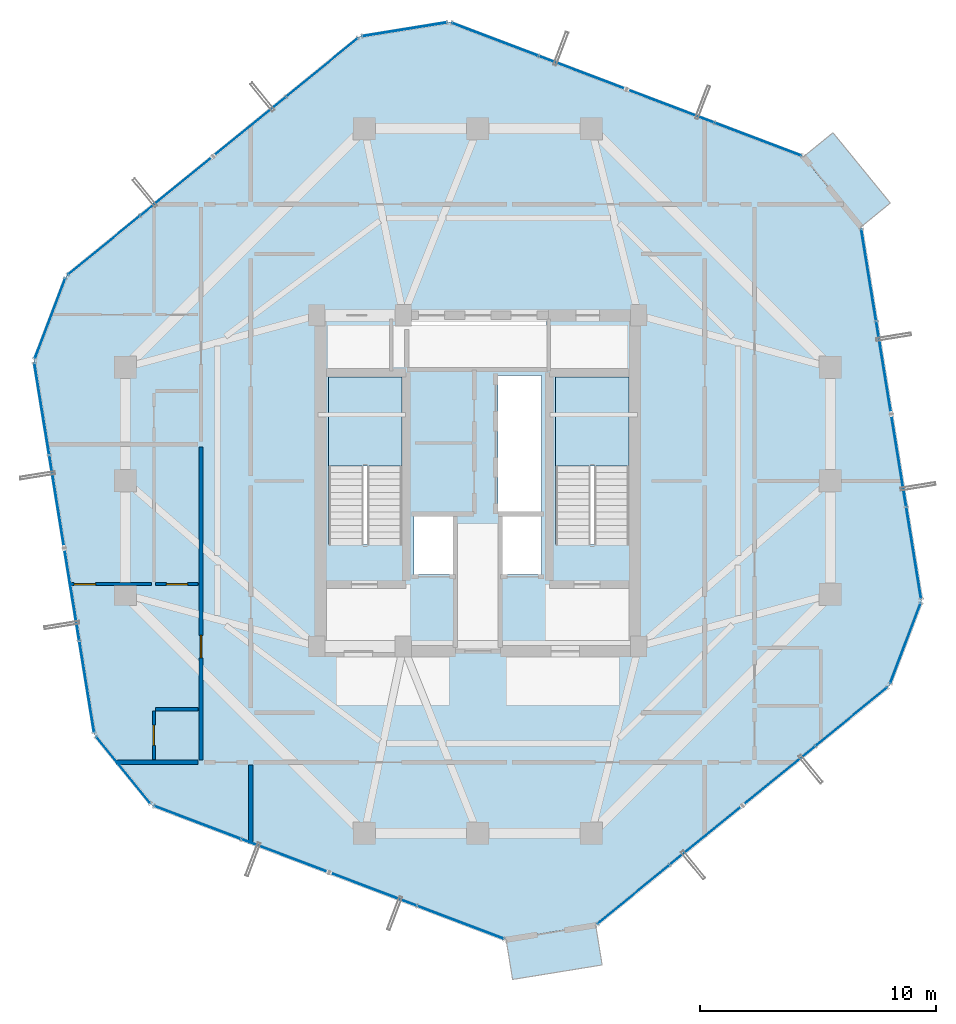
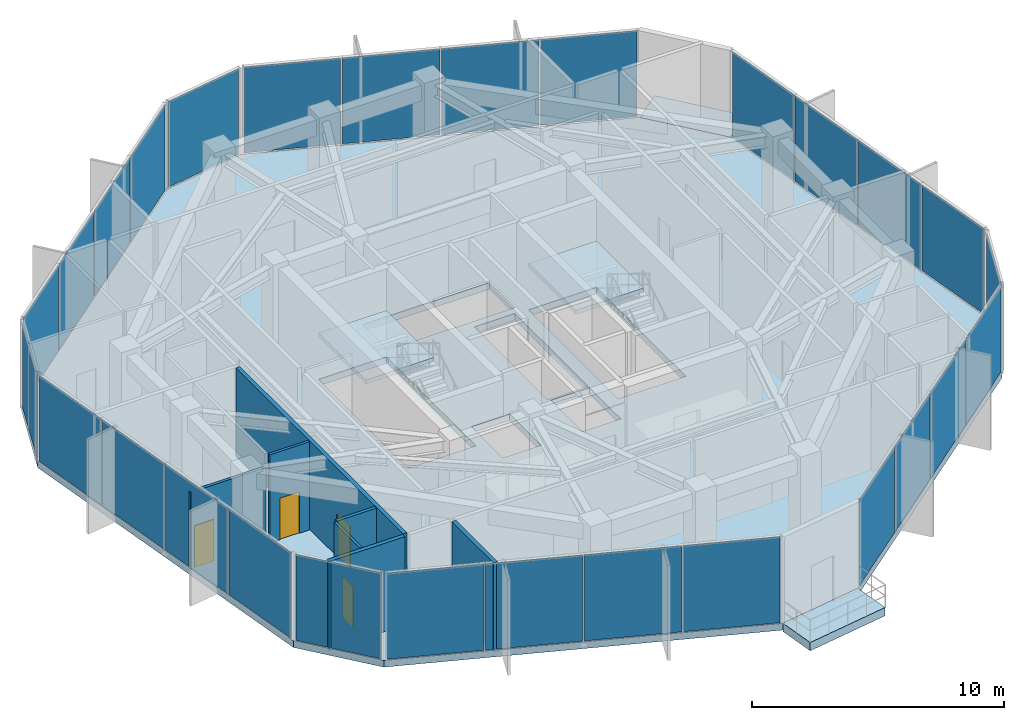
# One storey, part 17 of 22: 28 plates, 7 walls, 5 slabs, 4 doors, 4 openings, 12 elements without a shape of their own.
"""IFC4 building model written with IfcOpenShell, lengths in metres."""

from ifc_helpers import new_model, si_unit, direction, frame, frame_2d, origin, origin_2d, place, context, subcontext, project, spatial, polyline, rectangle, outline, extrude, source, transform, mapped, material, layer, layer_set, type_object, element, fill, aggregate, save


model = new_model("IFC4")

# Units and contexts
model_context = context("Model", 3, precision=1e-05, world=origin(), true_north=direction((0.0, 1.0)))
body_context = subcontext(model_context, "Body", "Model", "MODEL_VIEW")
ifc_project = project(units=[si_unit("LENGTHUNIT", "METRE"), si_unit("AREAUNIT", "SQUARE_METRE"), si_unit("VOLUMEUNIT", "CUBIC_METRE"), si_unit("PLANEANGLEUNIT", "RADIAN"), si_unit("MASSUNIT", "GRAM", prefix="KILO")], contexts=[model_context])

# Site, building, storey
site_placement = place(None, origin())
site = spatial("IfcSite", under=ifc_project, at=site_placement, CompositionType="ELEMENT")
building_placement = place(site_placement, origin())
building = spatial("IfcBuilding", under=site, at=building_placement, Name="Veraguas Prism Commons", CompositionType="ELEMENT")
storey_placement = place(building_placement, frame((0.0, 0.0, 174.35009765625)))
storey = spatial("IfcBuildingStorey", under=building, at=storey_placement, Name="L49", CompositionType="ELEMENT", Elevation=174.35009765625)

# Slab
ifc_material_1 = material(Name="Concrete C45/55", Category="concrete")
ifc_layer_1 = layer(ifc_material_1, 0.320068359375, Name="Plant Refuge and Sky Lobby Slab RC 320", Category="concrete")
ifc_layer_set_1 = layer_set([ifc_layer_1], Name="Concrete C45/55")
slab_type_1 = type_object("IfcSlabType", Name="Plant Refuge and Sky Lobby Slab RC 320", PredefinedType="FLOOR", material=ifc_layer_set_1)
slab_1_placement = place(storey_placement, frame((0.0, 0.0, -0.320068359375)))
element("IfcSlab", 1, at=slab_1_placement, inside=storey, type_object=slab_type_1, Name="Tower Floor Slab L49", PredefinedType="FLOOR", context=body_context, shape_type="SweptSolid", body=[
    extrude(outline(polyline([(40.20166015625, 34.73974609375), (37.778076171875, 37.711181640625), (22.7998046875, 43.40087890625), (19.014892578125, 42.787841796875), (6.598388671875, 32.6611328125), (5.23681640625, 29.07666015625), (7.79833984375, 13.26025390625), (10.221923828125, 10.288818359375), (25.2001953125, 4.59912109375), (28.985107421875, 5.212158203125), (41.401611328125, 15.3388671875), (42.76318359375, 18.92333984375), (40.20166015625, 34.73974609375)]), holes=[polyline([(20.800048828125, 21.31005859375), (20.800048828125, 28.39990234375), (17.68994140625, 28.39990234375), (17.68994140625, 21.31005859375), (20.800048828125, 21.31005859375)]), polyline([(30.39990234375, 21.31005859375), (30.39990234375, 28.39990234375), (27.2900390625, 28.39990234375), (27.2900390625, 21.31005859375), (30.39990234375, 21.31005859375)]), polyline([(24.85009765625, 22.64990234375), (26.699951171875, 22.64990234375), (26.699951171875, 28.449951171875), (24.85009765625, 28.449951171875), (24.85009765625, 22.64990234375)]), polyline([(21.10009765625, 28.800048828125), (26.89990234375, 28.800048828125), (26.89990234375, 30.800048828125), (21.10009765625, 30.800048828125), (21.10009765625, 28.800048828125)]), polyline([(21.300048828125, 20.050048828125), (23.050048828125, 20.050048828125), (23.050048828125, 22.550048828125), (21.300048828125, 22.550048828125), (21.300048828125, 20.050048828125)]), polyline([(24.949951171875, 20.050048828125), (26.699951171875, 20.050048828125), (26.699951171875, 22.550048828125), (24.949951171875, 22.550048828125), (24.949951171875, 20.050048828125)])]), origin(), (0.0, 0.0, 1.0), 0.320068359375),
])

# Stair, slab
ifc_material_2 = material(Name="Precast concrete C45/55", Category="concrete")
stair_type = type_object("IfcStairType", Name="Dogleg Core Stair 1480W 26R 04", PredefinedType="HALF_TURN_STAIR", material=ifc_material_2)
stair_1_placement = place(storey_placement, origin())
stair_1 = element("IfcStair", 2, at=stair_1_placement, inside=storey, type_object=stair_type, Name="Protected Exit Stair ST-01 L49", PredefinedType="HALF_TURN_STAIR")
ifc_layer_2 = layer(ifc_material_2, 0.199951171875, Name="Precast Stair and Ramp Landing Slab 200", Category="concrete")
ifc_layer_set_2 = layer_set([ifc_layer_2], Name="Precast concrete C45/55")
slab_type_2 = type_object("IfcSlabType", Name="Precast Stair and Ramp Landing Slab 200", PredefinedType="LANDING", material=ifc_layer_set_2)
slab_2_placement = place(storey_placement, frame((0.0, 0.0, 2.0498046875)))
slab_2 = element("IfcSlab", 3, at=slab_2_placement, type_object=slab_type_2, Name="ST-04 Landing 1", PredefinedType="LANDING", context=body_context, shape_type="SweptSolid", body=[
    extrude(outline(polyline([(20.800048828125, 24.639892578125), (20.800048828125, 28.39990234375), (17.68994140625, 28.39990234375), (17.68994140625, 24.639892578125), (20.800048828125, 24.639892578125)])), origin(), (0.0, 0.0, 1.0), 0.2001953125),
])
aggregate(stair_1, [slab_2])

stair_2_placement = place(storey_placement, origin())
stair_2 = element("IfcStair", 4, at=stair_2_placement, inside=storey, type_object=stair_type, Name="Protected Exit Stair ST-02 L49", PredefinedType="HALF_TURN_STAIR")
slab_3_placement = place(storey_placement, frame((0.0, 0.0, 2.0498046875)))
slab_3 = element("IfcSlab", 5, at=slab_3_placement, type_object=slab_type_2, Name="ST-04 Landing 1", PredefinedType="LANDING", context=body_context, shape_type="SweptSolid", body=[
    extrude(outline(polyline([(30.39990234375, 24.639892578125), (30.39990234375, 28.39990234375), (27.2900390625, 28.39990234375), (27.2900390625, 24.639892578125), (30.39990234375, 24.639892578125)])), origin(), (0.0, 0.0, 1.0), 0.2001953125),
])
aggregate(stair_2, [slab_3])

# Slabs
ifc_layer_3 = layer(ifc_material_1, 0.219970703125, Name="Recessed Loggia and Terrace Slab RC 220", Category="concrete")
ifc_layer_set_3 = layer_set([ifc_layer_3], Name="Concrete C45/55")
slab_type_3 = type_object("IfcSlabType", Name="Recessed Loggia and Terrace Slab RC 220", PredefinedType="FLOOR", material=ifc_layer_set_3)
slab_4_placement = place(storey_placement, frame((0.0, 0.0, -0.22021484375)))
element("IfcSlab", 6, at=slab_4_placement, inside=storey, type_object=slab_type_3, Name="Recessed Corner Loggia L49-C1", PredefinedType="FLOOR", context=body_context, shape_type="SweptSolid", body=[
    extrude(outline(polyline([(40.18603515625, 34.72705078125), (41.44140625, 35.7509765625), (39.01806640625, 38.722412109375), (37.7626953125, 37.698486328125), (40.18603515625, 34.72705078125)])), origin(), (0.0, 0.0, 1.0), 0.22021484375),
])
ifc_layer_4 = layer(ifc_material_1, 0.39990234375, Name="Sky Pool Structural Basin Slab RC 400", Category="concrete")
ifc_layer_set_4 = layer_set([ifc_layer_4], Name="Concrete C45/55")
slab_type_4 = type_object("IfcSlabType", Name="Sky Pool Structural Basin Slab RC 400", PredefinedType="FLOOR", material=ifc_layer_set_4)
slab_5_placement = place(storey_placement, frame((0.0, 0.0, -0.400146484375)))
element("IfcSlab", 7, at=slab_5_placement, inside=storey, type_object=slab_type_4, Name="Sky Pool Terrace Basin Slab", PredefinedType="FLOOR", context=body_context, shape_type="SweptSolid", body=[
    extrude(outline(polyline([(25.197021484375, 4.618896484375), (25.471923828125, 2.921142578125), (29.2568359375, 3.5341796875), (28.98193359375, 5.23193359375), (25.197021484375, 4.618896484375)])), origin(), (0.0, 0.0, 1.0), 0.400146484375),
])

# Curtain wall, plates
ifc_material_3 = material(Name="Anodised aluminium EN AW-6063 T6", Category="aluminium")
ifc_layer_5 = layer(ifc_material_3, 0.199951171875, Name="Sky Lobby and Pool Acoustic Curtain Wall", Category="aluminium")
ifc_layer_set_5 = layer_set([ifc_layer_5], Name="Anodised aluminium EN AW-6063 T6")
curtain_wall_type = type_object("IfcCurtainWallType", Name="Sky Lobby and Pool Acoustic Curtain Wall", PredefinedType="NOTDEFINED", material=ifc_layer_set_5)
curtain_wall_1_placement = place(storey_placement, origin())
curtain_wall_1 = element("IfcCurtainWall", 8, at=curtain_wall_1_placement, inside=storey, type_object=curtain_wall_type, Name="Tower Facade Curtain Wall L49-F1", PredefinedType="NOTDEFINED")
ifc_material_4 = material(Name="Laminated low-e glass", Category="glass")
ifc_layer_6 = layer(ifc_material_4, 0.031982421875, Name="Concourse Acoustic Triple Glazed Panel 32", Category="glass")
ifc_layer_set_6 = layer_set([ifc_layer_6], Name="Laminated low-e glass")
plate_type = type_object("IfcPlateType", Name="Concourse Acoustic Triple Glazed Panel 32", PredefinedType="CURTAIN_PANEL", material=ifc_layer_set_6)
shared_shape_1 = source(origin(), body_context, "Body", "SweptSolid", [
    extrude(rectangle(XDim=3.878173828125, YDim=0.031982421875, at=origin_2d()), origin(), (0.0, 0.0, 1.0), 4.14501953125),
])
plate_1_placement = place(storey_placement, frame((35.8486328125, 38.444091796875, 0.059814453125), z_axis=(0.0, 0.0, 1.0), x_axis=(-0.934825056616, 0.355108593986, 0.0)))
plate_1 = element("IfcPlate", 9, at=plate_1_placement, type_object=plate_type, Name="CW-SKY Panel 1.1", PredefinedType="CURTAIN_PANEL", context=body_context, shape_type="MappedRepresentation", body=[
    mapped(shared_shape_1, transform((0.0, 0.0, 0.0), scale=1.0)),
])
plate_2_placement = place(storey_placement, frame((24.7294921875, 42.667724609375, 0.059814453125), z_axis=(0.0, 0.0, 1.0), x_axis=(-0.934825056616, 0.355108593986, 0.0)))
plate_2 = element("IfcPlate", 10, at=plate_2_placement, type_object=plate_type, Name="CW-SKY Panel 4.1", PredefinedType="CURTAIN_PANEL", context=body_context, shape_type="MappedRepresentation", body=[
    mapped(shared_shape_1, transform((0.0, 0.0, 0.0), scale=1.0)),
])

curtain_wall_2_placement = place(storey_placement, origin())
curtain_wall_2 = element("IfcCurtainWall", 11, at=curtain_wall_2_placement, inside=storey, type_object=curtain_wall_type, Name="Tower Facade Curtain Wall L49-F2", PredefinedType="NOTDEFINED")
plate_3_placement = place(storey_placement, frame((17.415283203125, 41.483154296875, 0.059814453125), z_axis=(0.0, 0.0, 1.0), x_axis=(-0.774941179396, -0.632033360256, 0.0)))
plate_3 = element("IfcPlate", 12, at=plate_3_placement, type_object=plate_type, Name="CW-SKY Panel 1.1", PredefinedType="CURTAIN_PANEL", context=body_context, shape_type="MappedRepresentation", body=[
    mapped(shared_shape_1, transform((0.0, 0.0, 0.0), scale=1.0)),
])
plate_4_placement = place(storey_placement, frame((8.197998046875, 33.965576171875, 0.059814453125), z_axis=(0.0, 0.0, 1.0), x_axis=(-0.774941179396, -0.632033360256, 0.0)))
plate_4 = element("IfcPlate", 13, at=plate_4_placement, type_object=plate_type, Name="CW-SKY Panel 4.1", PredefinedType="CURTAIN_PANEL", context=body_context, shape_type="MappedRepresentation", body=[
    mapped(shared_shape_1, transform((0.0, 0.0, 0.0), scale=1.0)),
])

curtain_wall_3_placement = place(storey_placement, origin())
curtain_wall_3 = element("IfcCurtainWall", 14, at=curtain_wall_3_placement, inside=storey, type_object=curtain_wall_type, Name="Tower Facade Curtain Wall L49-F3", PredefinedType="NOTDEFINED")
plate_5_placement = place(storey_placement, frame((5.56689453125, 27.0390625, 0.059814453125), z_axis=(0.0, 0.0, 1.0), x_axis=(0.159874296177, -0.98713738123, 0.0)))
plate_5 = element("IfcPlate", 15, at=plate_5_placement, type_object=plate_type, Name="CW-SKY Panel 1.1", PredefinedType="CURTAIN_PANEL", context=body_context, shape_type="MappedRepresentation", body=[
    mapped(shared_shape_1, transform((0.0, 0.0, 0.0), scale=1.0)),
])
plate_6_placement = place(storey_placement, frame((7.468505859375, 15.2978515625, 0.059814453125), z_axis=(0.0, 0.0, 1.0), x_axis=(0.159874296177, -0.98713738123, 0.0)))
plate_6 = element("IfcPlate", 16, at=plate_6_placement, type_object=plate_type, Name="CW-SKY Panel 4.1", PredefinedType="CURTAIN_PANEL", context=body_context, shape_type="MappedRepresentation", body=[
    mapped(shared_shape_1, transform((0.0, 0.0, 0.0), scale=1.0)),
])

curtain_wall_4_placement = place(storey_placement, origin())
curtain_wall_4 = element("IfcCurtainWall", 17, at=curtain_wall_4_placement, inside=storey, type_object=curtain_wall_type, Name="Tower Facade Curtain Wall L49-F4", PredefinedType="NOTDEFINED")
plate_7_placement = place(storey_placement, frame((12.1513671875, 9.555908203125, 0.059814453125), z_axis=(0.0, 0.0, 1.0), x_axis=(0.934825056616, -0.355108593986, 0.0)))
plate_7 = element("IfcPlate", 18, at=plate_7_placement, type_object=plate_type, Name="CW-SKY Panel 1.1", PredefinedType="CURTAIN_PANEL", context=body_context, shape_type="MappedRepresentation", body=[
    mapped(shared_shape_1, transform((0.0, 0.0, 0.0), scale=1.0)),
])
plate_8_placement = place(storey_placement, frame((23.2705078125, 5.332275390625, 0.059814453125), z_axis=(0.0, 0.0, 1.0), x_axis=(0.934825056616, -0.355108593986, 0.0)))
plate_8 = element("IfcPlate", 19, at=plate_8_placement, type_object=plate_type, Name="CW-SKY Panel 4.1", PredefinedType="CURTAIN_PANEL", context=body_context, shape_type="MappedRepresentation", body=[
    mapped(shared_shape_1, transform((0.0, 0.0, 0.0), scale=1.0)),
])

curtain_wall_5_placement = place(storey_placement, origin())
curtain_wall_5 = element("IfcCurtainWall", 20, at=curtain_wall_5_placement, inside=storey, type_object=curtain_wall_type, Name="Tower Facade Curtain Wall L49-F5", PredefinedType="NOTDEFINED")
plate_9_placement = place(storey_placement, frame((30.584716796875, 6.516845703125, 0.059814453125), z_axis=(0.0, 0.0, 1.0), x_axis=(0.774941179396, 0.632033360256, 0.0)))
plate_9 = element("IfcPlate", 21, at=plate_9_placement, type_object=plate_type, Name="CW-SKY Panel 1.1", PredefinedType="CURTAIN_PANEL", context=body_context, shape_type="MappedRepresentation", body=[
    mapped(shared_shape_1, transform((0.0, 0.0, 0.0), scale=1.0)),
])
plate_10_placement = place(storey_placement, frame((39.802001953125, 14.034423828125, 0.059814453125), z_axis=(0.0, 0.0, 1.0), x_axis=(0.774941179396, 0.632033360256, 0.0)))
plate_10 = element("IfcPlate", 22, at=plate_10_placement, type_object=plate_type, Name="CW-SKY Panel 4.1", PredefinedType="CURTAIN_PANEL", context=body_context, shape_type="MappedRepresentation", body=[
    mapped(shared_shape_1, transform((0.0, 0.0, 0.0), scale=1.0)),
])

curtain_wall_6_placement = place(storey_placement, origin())
curtain_wall_6 = element("IfcCurtainWall", 23, at=curtain_wall_6_placement, inside=storey, type_object=curtain_wall_type, Name="Tower Facade Curtain Wall L49-F6", PredefinedType="NOTDEFINED")
plate_11_placement = place(storey_placement, frame((42.43310546875, 20.9609375, 0.059814453125), z_axis=(0.0, 0.0, 1.0), x_axis=(-0.159874296177, 0.98713738123, 0.0)))
plate_11 = element("IfcPlate", 24, at=plate_11_placement, type_object=plate_type, Name="CW-SKY Panel 1.1", PredefinedType="CURTAIN_PANEL", context=body_context, shape_type="MappedRepresentation", body=[
    mapped(shared_shape_1, transform((0.0, 0.0, 0.0), scale=1.0)),
])
plate_12_placement = place(storey_placement, frame((40.531494140625, 32.7021484375, 0.059814453125), z_axis=(0.0, 0.0, 1.0), x_axis=(-0.159874296177, 0.98713738123, 0.0)))
plate_12 = element("IfcPlate", 25, at=plate_12_placement, type_object=plate_type, Name="CW-SKY Panel 4.1", PredefinedType="CURTAIN_PANEL", context=body_context, shape_type="MappedRepresentation", body=[
    mapped(shared_shape_1, transform((0.0, 0.0, 0.0), scale=1.0)),
])

# Plate
shared_shape_2 = source(origin(), body_context, "Body", "SweptSolid", [
    extrude(rectangle(XDim=3.91064453125, YDim=0.031982421875, at=origin_2d()), origin(), (0.0, 0.0, 1.0), 4.14501953125),
])
plate_13_placement = place(storey_placement, frame((32.147216796875, 39.85009765625, 0.059814453125), z_axis=(0.0, 0.0, 1.0), x_axis=(-0.934825056616, 0.355108593986, 0.0)))
plate_13 = element("IfcPlate", 26, at=plate_13_placement, type_object=plate_type, Name="CW-SKY Panel 2.1", PredefinedType="CURTAIN_PANEL", context=body_context, shape_type="MappedRepresentation", body=[
    mapped(shared_shape_2, transform((0.0, 0.0, 0.0), scale=1.0)),
])

plate_14_placement = place(storey_placement, frame((28.4306640625, 41.26171875, 0.059814453125), z_axis=(0.0, 0.0, 1.0), x_axis=(-0.934825056616, 0.355108593986, 0.0)))
plate_14 = element("IfcPlate", 27, at=plate_14_placement, type_object=plate_type, Name="CW-SKY Panel 3.1", PredefinedType="CURTAIN_PANEL", context=body_context, shape_type="MappedRepresentation", body=[
    mapped(shared_shape_2, transform((0.0, 0.0, 0.0), scale=1.0)),
])

aggregate(curtain_wall_1, [plate_1, plate_13, plate_14, plate_2])

plate_15_placement = place(storey_placement, frame((14.34716796875, 38.980712890625, 0.059814453125), z_axis=(0.0, 0.0, 1.0), x_axis=(-0.774941179396, -0.632033360256, 0.0)))
plate_15 = element("IfcPlate", 28, at=plate_15_placement, type_object=plate_type, Name="CW-SKY Panel 2.1", PredefinedType="CURTAIN_PANEL", context=body_context, shape_type="MappedRepresentation", body=[
    mapped(shared_shape_2, transform((0.0, 0.0, 0.0), scale=1.0)),
])

plate_16_placement = place(storey_placement, frame((11.26611328125, 36.468017578125, 0.059814453125), z_axis=(0.0, 0.0, 1.0), x_axis=(-0.774941179396, -0.632033360256, 0.0)))
plate_16 = element("IfcPlate", 29, at=plate_16_placement, type_object=plate_type, Name="CW-SKY Panel 3.1", PredefinedType="CURTAIN_PANEL", context=body_context, shape_type="MappedRepresentation", body=[
    mapped(shared_shape_2, transform((0.0, 0.0, 0.0), scale=1.0)),
])

aggregate(curtain_wall_2, [plate_3, plate_15, plate_16, plate_4])

plate_17_placement = place(storey_placement, frame((6.19970703125, 23.130615234375, 0.059814453125), z_axis=(0.0, 0.0, 1.0), x_axis=(0.159874296177, -0.98713738123, 0.0)))
plate_17 = element("IfcPlate", 30, at=plate_17_placement, type_object=plate_type, Name="CW-SKY Panel 2.1", PredefinedType="CURTAIN_PANEL", context=body_context, shape_type="MappedRepresentation", body=[
    mapped(shared_shape_2, transform((0.0, 0.0, 0.0), scale=1.0)),
])

plate_18_placement = place(storey_placement, frame((6.83544921875, 19.206298828125, 0.059814453125), z_axis=(0.0, 0.0, 1.0), x_axis=(0.159874296177, -0.98713738123, 0.0)))
plate_18 = element("IfcPlate", 31, at=plate_18_placement, type_object=plate_type, Name="CW-SKY Panel 3.1", PredefinedType="CURTAIN_PANEL", context=body_context, shape_type="MappedRepresentation", body=[
    mapped(shared_shape_2, transform((0.0, 0.0, 0.0), scale=1.0)),
])

aggregate(curtain_wall_3, [plate_5, plate_17, plate_18, plate_6])

plate_19_placement = place(storey_placement, frame((15.852783203125, 8.14990234375, 0.059814453125), z_axis=(0.0, 0.0, 1.0), x_axis=(0.934825056616, -0.355108593986, 0.0)))
plate_19 = element("IfcPlate", 32, at=plate_19_placement, type_object=plate_type, Name="CW-SKY Panel 2.1", PredefinedType="CURTAIN_PANEL", context=body_context, shape_type="MappedRepresentation", body=[
    mapped(shared_shape_2, transform((0.0, 0.0, 0.0), scale=1.0)),
])

plate_20_placement = place(storey_placement, frame((19.5693359375, 6.73828125, 0.059814453125), z_axis=(0.0, 0.0, 1.0), x_axis=(0.934825056616, -0.355108593986, 0.0)))
plate_20 = element("IfcPlate", 33, at=plate_20_placement, type_object=plate_type, Name="CW-SKY Panel 3.1", PredefinedType="CURTAIN_PANEL", context=body_context, shape_type="MappedRepresentation", body=[
    mapped(shared_shape_2, transform((0.0, 0.0, 0.0), scale=1.0)),
])

aggregate(curtain_wall_4, [plate_7, plate_19, plate_20, plate_8])

plate_21_placement = place(storey_placement, frame((33.65283203125, 9.019287109375, 0.059814453125), z_axis=(0.0, 0.0, 1.0), x_axis=(0.774941179396, 0.632033360256, 0.0)))
plate_21 = element("IfcPlate", 34, at=plate_21_placement, type_object=plate_type, Name="CW-SKY Panel 2.1", PredefinedType="CURTAIN_PANEL", context=body_context, shape_type="MappedRepresentation", body=[
    mapped(shared_shape_2, transform((0.0, 0.0, 0.0), scale=1.0)),
])

plate_22_placement = place(storey_placement, frame((36.73388671875, 11.531982421875, 0.059814453125), z_axis=(0.0, 0.0, 1.0), x_axis=(0.774941179396, 0.632033360256, 0.0)))
plate_22 = element("IfcPlate", 35, at=plate_22_placement, type_object=plate_type, Name="CW-SKY Panel 3.1", PredefinedType="CURTAIN_PANEL", context=body_context, shape_type="MappedRepresentation", body=[
    mapped(shared_shape_2, transform((0.0, 0.0, 0.0), scale=1.0)),
])

aggregate(curtain_wall_5, [plate_9, plate_21, plate_22, plate_10])

plate_23_placement = place(storey_placement, frame((41.80029296875, 24.869384765625, 0.059814453125), z_axis=(0.0, 0.0, 1.0), x_axis=(-0.159874296177, 0.98713738123, 0.0)))
plate_23 = element("IfcPlate", 36, at=plate_23_placement, type_object=plate_type, Name="CW-SKY Panel 2.1", PredefinedType="CURTAIN_PANEL", context=body_context, shape_type="MappedRepresentation", body=[
    mapped(shared_shape_2, transform((0.0, 0.0, 0.0), scale=1.0)),
])

plate_24_placement = place(storey_placement, frame((41.16455078125, 28.793701171875, 0.059814453125), z_axis=(0.0, 0.0, 1.0), x_axis=(-0.159874296177, 0.98713738123, 0.0)))
plate_24 = element("IfcPlate", 37, at=plate_24_placement, type_object=plate_type, Name="CW-SKY Panel 3.1", PredefinedType="CURTAIN_PANEL", context=body_context, shape_type="MappedRepresentation", body=[
    mapped(shared_shape_2, transform((0.0, 0.0, 0.0), scale=1.0)),
])

aggregate(curtain_wall_6, [plate_11, plate_23, plate_24, plate_12])

# Curtain wall, plate
curtain_wall_7_placement = place(storey_placement, origin())
curtain_wall_7 = element("IfcCurtainWall", 38, at=curtain_wall_7_placement, inside=storey, type_object=curtain_wall_type, Name="Chamfer Curtain Wall L49-C2", PredefinedType="NOTDEFINED")
shared_shape_3 = source(origin(), body_context, "Body", "SweptSolid", [
    extrude(rectangle(XDim=3.58447265625, YDim=0.031982421875, at=origin_2d()), origin(), (0.0, 0.0, 1.0), 4.14501953125),
])
plate_25_placement = place(storey_placement, frame((20.907470703125, 43.09423828125, 0.059814453125), z_axis=(0.0, 0.0, 1.0), x_axis=(-0.987138776359, -0.159865681772, 0.0)))
plate_25 = element("IfcPlate", 39, at=plate_25_placement, type_object=plate_type, Name="CW-SKY Panel 1.1", PredefinedType="CURTAIN_PANEL", context=body_context, shape_type="MappedRepresentation", body=[
    mapped(shared_shape_3, transform((0.0, 0.0, 0.0), scale=1.0)),
])
aggregate(curtain_wall_7, [plate_25])

curtain_wall_8_placement = place(storey_placement, origin())
curtain_wall_8 = element("IfcCurtainWall", 40, at=curtain_wall_8_placement, inside=storey, type_object=curtain_wall_type, Name="Chamfer Curtain Wall L49-C3", PredefinedType="NOTDEFINED")
plate_26_placement = place(storey_placement, frame((5.91748046875, 30.868896484375, 0.059814453125), z_axis=(0.0, 0.0, 1.0), x_axis=(-0.355106962408, -0.934825676396, 0.0)))
plate_26 = element("IfcPlate", 41, at=plate_26_placement, type_object=plate_type, Name="CW-SKY Panel 1.1", PredefinedType="CURTAIN_PANEL", context=body_context, shape_type="MappedRepresentation", body=[
    mapped(shared_shape_3, transform((0.0, 0.0, 0.0), scale=1.0)),
])
aggregate(curtain_wall_8, [plate_26])

curtain_wall_9_placement = place(storey_placement, origin())
curtain_wall_9 = element("IfcCurtainWall", 42, at=curtain_wall_9_placement, inside=storey, type_object=curtain_wall_type, Name="Chamfer Curtain Wall L49-C4", PredefinedType="NOTDEFINED")
plate_27_placement = place(storey_placement, frame((9.01025390625, 11.774658203125, 0.059814453125), z_axis=(0.0, 0.0, 1.0), x_axis=(0.632050942951, -0.774926838814, 0.0)))
plate_27 = element("IfcPlate", 43, at=plate_27_placement, type_object=plate_type, Name="CW-SKY Panel 1.1", PredefinedType="CURTAIN_PANEL", context=body_context, shape_type="MappedRepresentation", body=[
    mapped(shared_shape_3, transform((0.0, 0.0, 0.0), scale=1.0)),
])
aggregate(curtain_wall_9, [plate_27])

curtain_wall_10_placement = place(storey_placement, origin())
curtain_wall_10 = element("IfcCurtainWall", 44, at=curtain_wall_10_placement, inside=storey, type_object=curtain_wall_type, Name="Chamfer Curtain Wall L49-C6", PredefinedType="NOTDEFINED")
plate_28_placement = place(storey_placement, frame((42.08251953125, 17.131103515625, 0.059814453125), z_axis=(0.0, 0.0, 1.0), x_axis=(0.355106962408, 0.934825676396, 0.0)))
plate_28 = element("IfcPlate", 45, at=plate_28_placement, type_object=plate_type, Name="CW-SKY Panel 1.1", PredefinedType="CURTAIN_PANEL", context=body_context, shape_type="MappedRepresentation", body=[
    mapped(shared_shape_3, transform((0.0, 0.0, 0.0), scale=1.0)),
])
aggregate(curtain_wall_10, [plate_28])

# Walls
ifc_material_5 = material(Name="Autoclaved aerated masonry block 10 MPa", Category="masonry")
ifc_layer_7 = layer(ifc_material_5, 0.179931640625, Name="Corridor and Inter-Tenancy Partition 180", Category="masonry")
ifc_layer_set_7 = layer_set([ifc_layer_7], Name="Autoclaved aerated masonry block 10 MPa")
wall_type_1 = type_object("IfcWallType", Name="Corridor and Inter-Tenancy Partition 180", PredefinedType="PARTITIONING", material=ifc_layer_set_7)
wall_1_placement = place(storey_placement, frame((14.39990234375, 11.97998046875, 0.0), z_axis=(0.0, 0.0, 1.0), x_axis=(0.0, -1.0, 0.0)))
element("IfcWall", 46, at=wall_1_placement, inside=storey, type_object=wall_type_1, Name="WL-L49-PT001", PredefinedType="PARTITIONING", context=body_context, shape_type="SweptSolid", body=[
    extrude(rectangle(XDim=3.310302734375, YDim=0.179931640625, at=frame_2d((1.6552734375, 0.0))), origin(), (0.0, 0.0, 1.0), 4.264892578125),
])
wall_2_placement = place(storey_placement, frame((12.179931640625, 12.10009765625, 0.0), z_axis=(0.0, 0.0, 1.0), x_axis=(-1.0, 0.0, 0.0)))
element("IfcWall", 47, at=wall_2_placement, inside=storey, type_object=wall_type_1, Name="WL-L49-PT009", PredefinedType="PARTITIONING", context=body_context, shape_type="SweptSolid", body=[
    extrude(rectangle(XDim=3.473876953125, YDim=0.179931640625, at=frame_2d((1.73681640625, 0.0))), origin(), (0.0, 0.0, 1.0), 4.264892578125),
])

# Wall, opening, door
wall_3_placement = place(storey_placement, frame((12.300048828125, 12.2099609375, 0.0), z_axis=(0.0, 0.0, 1.0), x_axis=(0.0, 1.0, 0.0)))
wall_3 = element("IfcWall", 48, at=wall_3_placement, inside=storey, type_object=wall_type_1, Name="WL-L49-PT011", PredefinedType="PARTITIONING", context=body_context, shape_type="SweptSolid", body=[
    extrude(rectangle(XDim=13.23193359375, YDim=0.179931640625, at=frame_2d((6.615966796875, 0.0))), origin(), (0.0, 0.0, 1.0), 4.264892578125),
])
opening_1_placement = place(wall_3_placement, frame((4.306396484375, 0.0, 0.0)))
opening_1 = element("IfcOpeningElement", 49, at=opening_1_placement, cuts=wall_3, Name="Opening DR-01", PredefinedType="OPENING", context=body_context, shape_type="SweptSolid", body=[
    extrude(rectangle(XDim=0.949951171875, YDim=2.02001953125, at=frame_2d((0.47509765625, 1.010009765625))), frame((0.0, 0.099853515625, 0.0), z_axis=(0.0, -1.0, 0.0), x_axis=(1.0, 0.0, 0.0)), (0.0, 0.0, 1.0), 0.199951171875),
])
door_type_1 = type_object("IfcDoorType", Name="Apartment Entrance Fire Door 950x2020", OperationType="NOTDEFINED", PredefinedType="DOOR", material=ifc_material_3)
shared_shape_4 = source(origin(), body_context, "Body", "SweptSolid", [
    extrude(rectangle(XDim=0.949951171875, YDim=2.02001953125, at=frame_2d((0.47509765625, 1.010009765625))), frame((0.0, 0.02490234375, 0.0), z_axis=(0.0, -1.0, 0.0), x_axis=(1.0, 0.0, 0.0)), (0.0, 0.0, 1.0), 0.050048828125),
])
door_1_placement = place(opening_1_placement, origin())
door_1 = element("IfcDoor", 50, at=door_1_placement, inside=storey, type_object=door_type_1, Name="Flat 49A Entrance Door", OperationType="SINGLE_SWING_RIGHT", OverallHeight=2.02001953125, OverallWidth=0.949951171875, PredefinedType="DOOR", context=body_context, shape_type="MappedRepresentation", body=[
    mapped(shared_shape_4, transform((0.0, 0.0, 0.0), scale=1.0)),
])
fill(opening_1, door_1)

ifc_material_6 = material(Name="Lightweight acoustic gypsum board")
ifc_layer_8 = layer(ifc_material_6, 0.125, Name="Internal Apartment Room Partition 125")
ifc_layer_set_8 = layer_set([ifc_layer_8], Name="Lightweight acoustic gypsum board")
wall_type_2 = type_object("IfcWallType", Name="Internal Apartment Room Partition 125", PredefinedType="PARTITIONING", material=ifc_layer_set_8)
wall_4_placement = place(storey_placement, frame((10.300048828125, 12.219970703125, 0.0), z_axis=(0.0, 0.0, 1.0), x_axis=(0.0, 1.0, 0.0)))
wall_4 = element("IfcWall", 51, at=wall_4_placement, inside=storey, type_object=wall_type_2, Name="WL-L49-PT013", PredefinedType="PARTITIONING", context=body_context, shape_type="SweptSolid", body=[
    extrude(rectangle(XDim=2.050048828125, YDim=0.125, at=frame_2d((1.02490234375, 0.0))), origin(), (0.0, 0.0, 1.0), 4.264892578125),
])
opening_2_placement = place(wall_4_placement, frame((0.594970703125, 0.0, 0.0)))
opening_2 = element("IfcOpeningElement", 52, at=opening_2_placement, cuts=wall_4, Name="Opening DR-03", PredefinedType="OPENING", context=body_context, shape_type="SweptSolid", body=[
    extrude(rectangle(XDim=0.860107421875, YDim=2.010009765625, at=frame_2d((0.43017578125, 1.0048828125))), frame((0.0, 0.072509765625, 0.0), z_axis=(0.0, -1.0, 0.0), x_axis=(1.0, 0.0, 0.0)), (0.0, 0.0, 1.0), 0.14501953125),
])
ifc_material_7 = material(Name="Timber moisture-resistant leaf", Category="wood")
door_type_2 = type_object("IfcDoorType", Name="Internal Bathroom Door 860x2010", OperationType="NOTDEFINED", PredefinedType="DOOR", material=ifc_material_7)
shared_shape_5 = source(origin(), body_context, "Body", "SweptSolid", [
    extrude(rectangle(XDim=0.860107421875, YDim=2.010009765625, at=frame_2d((0.43017578125, 1.0048828125))), frame((0.0, 0.02490234375, 0.0), z_axis=(0.0, -1.0, 0.0), x_axis=(1.0, 0.0, 0.0)), (0.0, 0.0, 1.0), 0.050048828125),
])
door_2_placement = place(opening_2_placement, origin())
door_2 = element("IfcDoor", 53, at=door_2_placement, inside=storey, type_object=door_type_2, Name="Flat 49A Bathroom Door", OperationType="SINGLE_SWING_LEFT", OverallHeight=2.010009765625, OverallWidth=0.860107421875, PredefinedType="DOOR", context=body_context, shape_type="MappedRepresentation", body=[
    mapped(shared_shape_5, transform((0.0, 0.0, 0.0), scale=1.0)),
])
fill(opening_2, door_2)

wall_5_placement = place(storey_placement, frame((12.179931640625, 19.633056640625, 0.0), z_axis=(0.0, 0.0, 1.0), x_axis=(-1.0, 0.0, 0.0)))
wall_5 = element("IfcWall", 54, at=wall_5_placement, inside=storey, type_object=wall_type_2, Name="WL-L49-PT014", PredefinedType="PARTITIONING", context=body_context, shape_type="SweptSolid", body=[
    extrude(rectangle(XDim=1.800048828125, YDim=0.125, at=frame_2d((0.89990234375, 0.0))), origin(), (0.0, 0.0, 1.0), 4.264892578125),
])
opening_3_placement = place(wall_5_placement, frame((0.449951171875, 0.0, 0.0)))
opening_3 = element("IfcOpeningElement", 55, at=opening_3_placement, cuts=wall_5, Name="Opening DR-02", PredefinedType="OPENING", context=body_context, shape_type="SweptSolid", body=[
    extrude(rectangle(XDim=0.89990234375, YDim=2.010009765625, at=frame_2d((0.449951171875, 1.0048828125))), frame((0.0, 0.072509765625, 0.0), z_axis=(0.0, -1.0, 0.0), x_axis=(1.0, 0.0, 0.0)), (0.0, 0.0, 1.0), 0.14501953125),
])
ifc_material_8 = material(Name="Timber solid core hardwood", Category="wood")
door_type_3 = type_object("IfcDoorType", Name="Internal Habitable Room Door 900x2010", OperationType="NOTDEFINED", PredefinedType="DOOR", material=ifc_material_8)
shared_shape_6 = source(origin(), body_context, "Body", "SweptSolid", [
    extrude(rectangle(XDim=0.89990234375, YDim=2.010009765625, at=frame_2d((0.449951171875, 1.0048828125))), frame((0.0, 0.02490234375, 0.0), z_axis=(0.0, -1.0, 0.0), x_axis=(1.0, 0.0, 0.0)), (0.0, 0.0, 1.0), 0.050048828125),
])
door_3_placement = place(opening_3_placement, origin())
door_3 = element("IfcDoor", 56, at=door_3_placement, inside=storey, type_object=door_type_3, Name="Flat 49A Kitchen Door", OperationType="SINGLE_SWING_RIGHT", OverallHeight=2.010009765625, OverallWidth=0.89990234375, PredefinedType="DOOR", context=body_context, shape_type="MappedRepresentation", body=[
    mapped(shared_shape_6, transform((0.0, 0.0, 0.0), scale=1.0)),
])
fill(opening_3, door_3)

wall_6_placement = place(storey_placement, frame((10.199951171875, 19.633056640625, 0.0), z_axis=(0.0, 0.0, 1.0), x_axis=(-1.0, 0.0, 0.0)))
wall_6 = element("IfcWall", 57, at=wall_6_placement, inside=storey, type_object=wall_type_2, Name="WL-L49-PT016", PredefinedType="PARTITIONING", context=body_context, shape_type="SweptSolid", body=[
    extrude(rectangle(XDim=3.464111328125, YDim=0.125, at=frame_2d((1.73193359375, 0.0))), origin(), (0.0, 0.0, 1.0), 3.718994140625),
])
opening_4_placement = place(wall_6_placement, frame((2.364013671875, 0.0, 0.0)))
opening_4 = element("IfcOpeningElement", 58, at=opening_4_placement, cuts=wall_6, Name="Opening DR-02", PredefinedType="OPENING", context=body_context, shape_type="SweptSolid", body=[
    extrude(rectangle(XDim=0.89990234375, YDim=2.010009765625, at=frame_2d((0.449951171875, 1.0048828125))), frame((0.0, 0.072509765625, 0.0), z_axis=(0.0, -1.0, 0.0), x_axis=(1.0, 0.0, 0.0)), (0.0, 0.0, 1.0), 0.14501953125),
])
door_4_placement = place(opening_4_placement, origin())
door_4 = element("IfcDoor", 59, at=door_4_placement, inside=storey, type_object=door_type_3, Name="Flat 49A Bedroom 1 Door", OperationType="SINGLE_SWING_LEFT", OverallHeight=2.010009765625, OverallWidth=0.89990234375, PredefinedType="DOOR", context=body_context, shape_type="MappedRepresentation", body=[
    mapped(shared_shape_6, transform((0.0, 0.0, 0.0), scale=1.0)),
])
fill(opening_4, door_4)

# Wall
ifc_layer_9 = layer(ifc_material_6, 0.14990234375, Name="Wet Room and Clinic Acoustic Partition 150")
ifc_layer_set_9 = layer_set([ifc_layer_9], Name="Lightweight acoustic gypsum board")
wall_type_3 = type_object("IfcWallType", Name="Wet Room and Clinic Acoustic Partition 150", PredefinedType="PARTITIONING", material=ifc_layer_set_9)
wall_7_placement = place(storey_placement, frame((12.179931640625, 14.35009765625, 0.0), z_axis=(0.0, 0.0, 1.0), x_axis=(-1.0, 0.0, 0.0)))
element("IfcWall", 60, at=wall_7_placement, inside=storey, type_object=wall_type_3, Name="WL-L49-PT012", PredefinedType="PARTITIONING", context=body_context, shape_type="SweptSolid", body=[
    extrude(rectangle(XDim=1.800048828125, YDim=0.14990234375, at=frame_2d((0.89990234375, 0.0))), origin(), (0.0, 0.0, 1.0), 4.264892578125),
])

save(model, "model.ifc")
